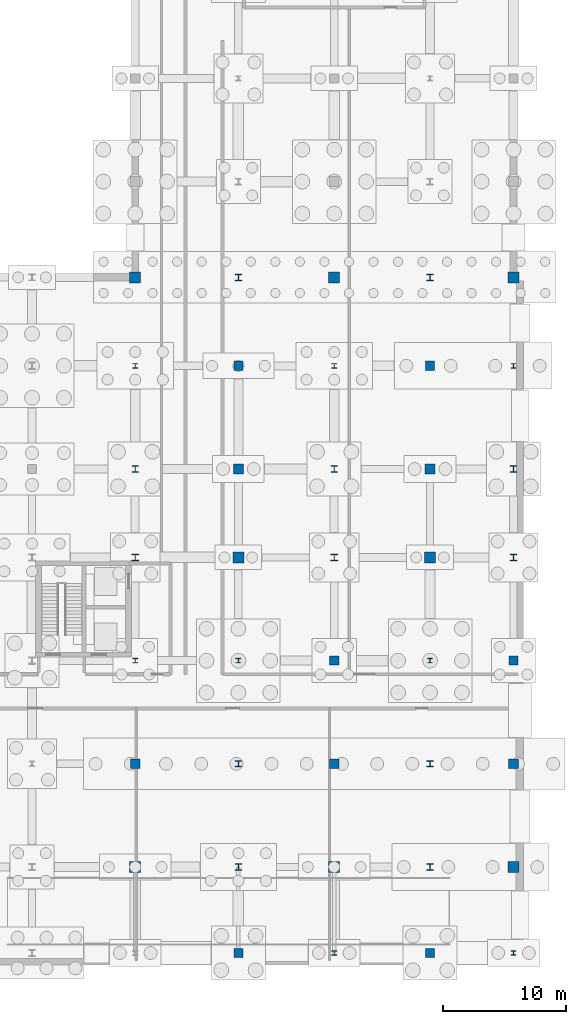
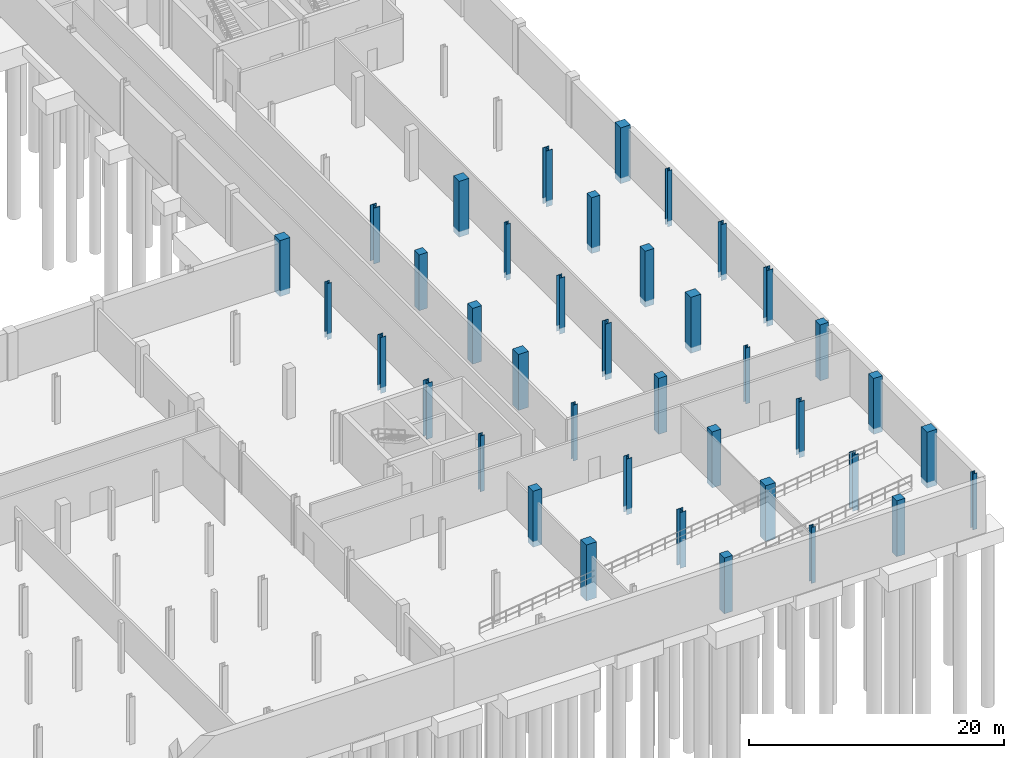
# One storey, part 18 of 32: 39 columns.
"""IFC4 building model written with IfcOpenShell, lengths in metres."""

from ifc_helpers import new_model, si_unit, direction, frame, origin_with_axes, origin_2d_with_axis, place, context, subcontext, project, spatial, rectangle, i_section, extrude, material, material_profile, profile_set, type_object, element, save


model = new_model("IFC4")

# Units and contexts
model_context = context("Model", 3, precision=1e-05, world=origin_with_axes(), true_north=direction((0.0, 1.0)))
body_context = subcontext(model_context, "Body", "Model", "MODEL_VIEW")
ifc_project = project(units=[si_unit("LENGTHUNIT", "METRE"), si_unit("AREAUNIT", "SQUARE_METRE"), si_unit("VOLUMEUNIT", "CUBIC_METRE"), si_unit("PLANEANGLEUNIT", "RADIAN"), si_unit("MASSUNIT", "GRAM", prefix="KILO"), si_unit("THERMODYNAMICTEMPERATUREUNIT", "KELVIN")], contexts=[model_context])

# Site, building, storey
site_placement = place(None, origin_with_axes())
site = spatial("IfcSite", under=ifc_project, at=site_placement, CompositionType="ELEMENT")
building_placement = place(site_placement, origin_with_axes())
building = spatial("IfcBuilding", under=site, at=building_placement, Name="Montbau Bow Law Courts", CompositionType="ELEMENT")
storey_placement = place(building_placement, frame((0.0, 0.0, -4.8), z_axis=(0.0, 0.0, 1.0), x_axis=(1.0, 0.0, 0.0)))
storey = spatial("IfcBuildingStorey", under=building, at=storey_placement, Name="B1", CompositionType="ELEMENT", Elevation=-4.8)

# Columns
ifc_material_1 = material(Name="Concrete CSA A23.1 f'c 45 MPa", Category="concrete")
ifc_material_profile_1 = material_profile(ifc_material_1, rectangle(XDim=0.9, YDim=0.9, at=origin_2d_with_axis()), Name="RC900X900", Category="Main", Priority=0)
ifc_profile_set_1 = profile_set([ifc_material_profile_1], Name="Concrete CSA A23.1 f'c 45 MPa")
column_type_1 = type_object("IfcColumnType", Name="C-RC-01", PredefinedType="COLUMN", material=ifc_profile_set_1)
for number, where, z_axis, x_axis, name in (
    (1, (138.6, 13.8, -5.35), (0.0, 0.0, 1.0), (1.0, 0.0, 0.0), "C-B1-S111:col2_0111"),
    (2, (138.6, 61.8, -5.35), (0.0, 0.0, 1.0), (1.0, 0.0, 0.0), "C-B1-S117:col2_0117"),
    (3, (147.0, 39.0, -5.35), (0.0, 0.0, 1.0), (1.0, 0.0, 0.0), "C-B1-S129:col2_0129"),
    (4, (154.8, 13.8, -5.35), (0.0, 0.0, 1.0), (1.0, 0.0, 0.0), "C-B1-S141:col2_0141"),
    (5, (154.8, 61.8, -5.35), (0.0, 0.0, 1.0), (1.0, 0.0, 0.0), "C-B1-S147:col2_0147"),
    (6, (162.6, 39.0, -5.35), (0.0, 0.0, 1.0), (1.0, 0.0, 0.0), "C-B1-S159:col2_0159"),
    (7, (169.4, 13.8, -5.35), (0.0, 0.0, 1.0), (1.0, 0.0, 0.0), "C-B1-S171:col2_0171"),
    (8, (169.4, 61.8, -5.35), (0.0, 0.0, 1.0), (1.0, 0.0, 0.0), "C-B1-S177:col2_0177"),
):
    element("IfcColumn", number, at=place(None, frame(where, z_axis=z_axis, x_axis=x_axis)), inside=storey, type_object=column_type_1, Name=name, PredefinedType="COLUMN", context=body_context, shape_type="SweptSolid", body=[
        extrude(rectangle(XDim=0.9, YDim=0.9, at=origin_2d_with_axis()), origin_with_axes(), (0.0, 0.0, 1.0), 5.35),
    ])
ifc_material_profile_2 = material_profile(ifc_material_1, rectangle(XDim=0.8, YDim=0.8, at=origin_2d_with_axis()), Name="RC800X800", Category="Main", Priority=0)
ifc_profile_set_2 = profile_set([ifc_material_profile_2], Name="Concrete CSA A23.1 f'c 45 MPa")
column_type_2 = type_object("IfcColumnType", Name="C-RC-02", PredefinedType="COLUMN", material=ifc_profile_set_2)
for number, where, z_axis, x_axis, name in (
    (9, (138.6, 22.2, -5.35), (0.0, 0.0, 1.0), (1.0, 0.0, 0.0), "C-B1-S112:col2_0112"),
    (10, (147.0, 46.2, -5.35), (0.0, 0.0, 1.0), (1.0, 0.0, 0.0), "C-B1-S130:col2_0130"),
    (11, (154.8, 22.2, -5.35), (0.0, 0.0, 1.0), (1.0, 0.0, 0.0), "C-B1-S142:col2_0142"),
    (12, (162.6, 46.2, -5.35), (0.0, 0.0, 1.0), (1.0, 0.0, 0.0), "C-B1-S160:col2_0160"),
    (13, (169.4, 22.2, -5.35), (0.0, 0.0, 1.0), (1.0, 0.0, 0.0), "C-B1-S172:col2_0172"),
):
    element("IfcColumn", number, at=place(None, frame(where, z_axis=z_axis, x_axis=x_axis)), inside=storey, type_object=column_type_2, Name=name, PredefinedType="COLUMN", context=body_context, shape_type="SweptSolid", body=[
        extrude(rectangle(XDim=0.8, YDim=0.8, at=origin_2d_with_axis()), origin_with_axes(), (0.0, 0.0, 1.0), 5.35),
    ])
ifc_material_2 = material(Name="Concrete CSA A23.1 f'c 40 MPa", Category="concrete")
ifc_material_profile_3 = material_profile(ifc_material_2, rectangle(XDim=0.75, YDim=0.75, at=origin_2d_with_axis()), Name="RC750X750", Category="Main", Priority=0)
ifc_profile_set_3 = profile_set([ifc_material_profile_3], Name="Concrete CSA A23.1 f'c 40 MPa")
column_type_3 = type_object("IfcColumnType", Name="C-RC-03", PredefinedType="COLUMN", material=ifc_profile_set_3)
for number, where, z_axis, x_axis, name in (
    (14, (147.0, 6.8, -5.35), (0.0, 0.0, 1.0), (1.0, 0.0, 0.0), "C-B1-S125:col2_0125"),
    (15, (147.0, 54.6, -5.35), (0.0, 0.0, 1.0), (1.0, 0.0, 0.0), "C-B1-S131:col2_0131"),
    (16, (154.8, 30.6, -5.35), (0.0, 0.0, 1.0), (1.0, 0.0, 0.0), "C-B1-S143:col2_0143"),
    (17, (162.6, 6.8, -5.35), (0.0, 0.0, 1.0), (1.0, 0.0, 0.0), "C-B1-S155:col2_0155"),
    (18, (162.6, 54.6, -5.35), (0.0, 0.0, 1.0), (1.0, 0.0, 0.0), "C-B1-S161:col2_0161"),
    (19, (169.4, 30.6, -5.35), (0.0, 0.0, 1.0), (1.0, 0.0, 0.0), "C-B1-S173:col2_0173"),
):
    element("IfcColumn", number, at=place(None, frame(where, z_axis=z_axis, x_axis=x_axis)), inside=storey, type_object=column_type_3, Name=name, PredefinedType="COLUMN", context=body_context, shape_type="SweptSolid", body=[
        extrude(rectangle(XDim=0.75, YDim=0.75, at=origin_2d_with_axis()), origin_with_axes(), (0.0, 0.0, 1.0), 5.35),
    ])
ifc_material_3 = material(Name="Steel CSA G40.21 Grade 350W (350 MPa)", Category="steel")
ifc_material_profile_4 = material_profile(ifc_material_3, i_section(OverallWidth=0.55, OverallDepth=0.55, WebThickness=0.025, FlangeThickness=0.042, at=origin_2d_with_axis()), Name="WWF550X420", Category="Main", Priority=0)
ifc_profile_set_4 = profile_set([ifc_material_profile_4], Name="Steel CSA G40.21 Grade 350W (350 MPa)")
column_type_4 = type_object("IfcColumnType", Name="C-STL-01", PredefinedType="COLUMN", material=ifc_profile_set_4)
for number, where, z_axis, x_axis, name in (
    (20, (138.6, 39.0, -5.35), (0.0, 0.0, 1.0), (1.0, 0.0, 0.0), "C-B1-S114:col2_0114"),
    (21, (147.0, 13.8, -5.35), (0.0, 0.0, 1.0), (1.0, 0.0, 0.0), "C-B1-S126:col2_0126"),
    (22, (147.0, 61.8, -5.35), (0.0, 0.0, 1.0), (1.0, 0.0, 0.0), "C-B1-S132:col2_0132"),
    (23, (154.8, 39.0, -5.35), (0.0, 0.0, 1.0), (1.0, 0.0, 0.0), "C-B1-S144:col2_0144"),
    (24, (162.6, 13.8, -5.35), (0.0, 0.0, 1.0), (1.0, 0.0, 0.0), "C-B1-S156:col2_0156"),
    (25, (162.6, 61.8, -5.35), (0.0, 0.0, 1.0), (1.0, 0.0, 0.0), "C-B1-S162:col2_0162"),
    (26, (169.4, 39.0, -5.35), (0.0, 0.0, 1.0), (1.0, 0.0, 0.0), "C-B1-S174:col2_0174"),
):
    element("IfcColumn", number, at=place(None, frame(where, z_axis=z_axis, x_axis=x_axis)), inside=storey, type_object=column_type_4, Name=name, PredefinedType="COLUMN", context=body_context, shape_type="SweptSolid", body=[
        extrude(i_section(OverallWidth=0.55, OverallDepth=0.55, WebThickness=0.025, FlangeThickness=0.042, at=origin_2d_with_axis()), origin_with_axes(), (0.0, 0.0, 1.0), 5.35),
    ])
ifc_material_profile_5 = material_profile(ifc_material_3, i_section(OverallWidth=0.5, OverallDepth=0.5, WebThickness=0.022, FlangeThickness=0.036, at=origin_2d_with_axis()), Name="WWF500X343", Category="Main", Priority=0)
ifc_profile_set_5 = profile_set([ifc_material_profile_5], Name="Steel CSA G40.21 Grade 350W (350 MPa)")
column_type_5 = type_object("IfcColumnType", Name="C-STL-02", PredefinedType="COLUMN", material=ifc_profile_set_5)
for number, where, z_axis, x_axis, name in (
    (27, (138.6, 46.2, -5.35), (0.0, 0.0, 1.0), (1.0, 0.0, 0.0), "C-B1-S115:col2_0115"),
    (28, (147.0, 22.2, -5.35), (0.0, 0.0, 1.0), (1.0, 0.0, 0.0), "C-B1-S127:col2_0127"),
    (29, (154.8, 46.2, -5.35), (0.0, 0.0, 1.0), (1.0, 0.0, 0.0), "C-B1-S145:col2_0145"),
    (30, (162.6, 22.2, -5.35), (0.0, 0.0, 1.0), (1.0, 0.0, 0.0), "C-B1-S157:col2_0157"),
    (31, (169.4, 46.2, -5.35), (0.0, 0.0, 1.0), (1.0, 0.0, 0.0), "C-B1-S175:col2_0175"),
):
    element("IfcColumn", number, at=place(None, frame(where, z_axis=z_axis, x_axis=x_axis)), inside=storey, type_object=column_type_5, Name=name, PredefinedType="COLUMN", context=body_context, shape_type="SweptSolid", body=[
        extrude(i_section(OverallWidth=0.5, OverallDepth=0.5, WebThickness=0.022, FlangeThickness=0.036, at=origin_2d_with_axis()), origin_with_axes(), (0.0, 0.0, 1.0), 5.35),
    ])
ifc_material_profile_6 = material_profile(ifc_material_3, i_section(OverallWidth=0.395, OverallDepth=0.38, WebThickness=0.0189, FlangeThickness=0.0302, at=origin_2d_with_axis()), Name="W360X237", Category="Main", Priority=0)
ifc_profile_set_6 = profile_set([ifc_material_profile_6], Name="Steel CSA G40.21 Grade 350W (350 MPa)")
column_type_6 = type_object("IfcColumnType", Name="C-STL-03", PredefinedType="COLUMN", material=ifc_profile_set_6)
for number, where, z_axis, x_axis, name in (
    (32, (138.6, 30.6, -5.35), (0.0, 0.0, 1.0), (1.0, 0.0, 0.0), "C-B1-S113:col2_0113"),
    (33, (138.6, 54.6, -5.35), (0.0, 0.0, 1.0), (1.0, 0.0, 0.0), "C-B1-S116:col2_0116"),
    (34, (147.0, 30.6, -5.35), (0.0, 0.0, 1.0), (1.0, 0.0, 0.0), "C-B1-S128:col2_0128"),
    (35, (154.8, 6.8, -5.35), (0.0, 0.0, 1.0), (1.0, 0.0, 0.0), "C-B1-S140:col2_0140"),
    (36, (154.8, 54.6, -5.35), (0.0, 0.0, 1.0), (1.0, 0.0, 0.0), "C-B1-S146:col2_0146"),
    (37, (162.6, 30.6, -5.35), (0.0, 0.0, 1.0), (1.0, 0.0, 0.0), "C-B1-S158:col2_0158"),
    (38, (169.4, 6.8, -5.35), (0.0, 0.0, 1.0), (1.0, 0.0, 0.0), "C-B1-S170:col2_0170"),
    (39, (169.4, 54.6, -5.35), (0.0, 0.0, 1.0), (1.0, 0.0, 0.0), "C-B1-S176:col2_0176"),
):
    element("IfcColumn", number, at=place(None, frame(where, z_axis=z_axis, x_axis=x_axis)), inside=storey, type_object=column_type_6, Name=name, PredefinedType="COLUMN", context=body_context, shape_type="SweptSolid", body=[
        extrude(i_section(OverallWidth=0.395, OverallDepth=0.38, WebThickness=0.0189, FlangeThickness=0.0302, at=origin_2d_with_axis()), origin_with_axes(), (0.0, 0.0, 1.0), 5.35),
    ])

save(model, "model.ifc")
